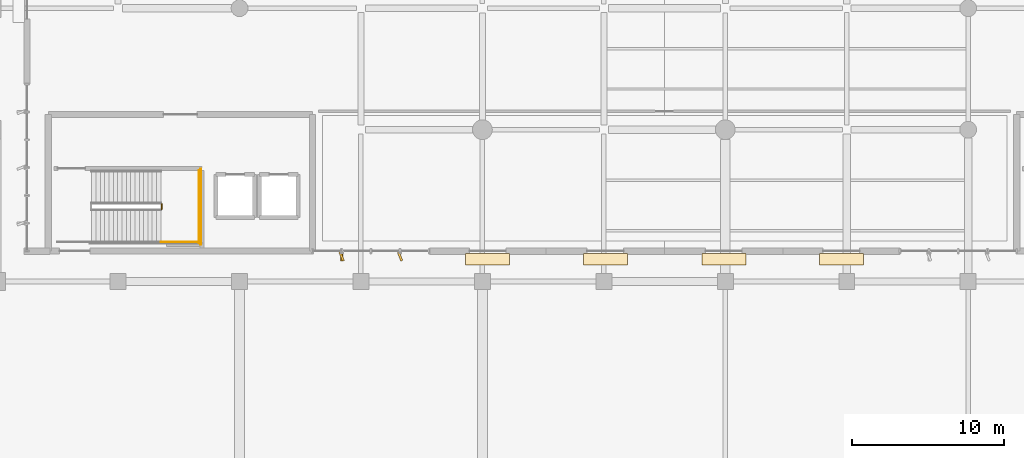
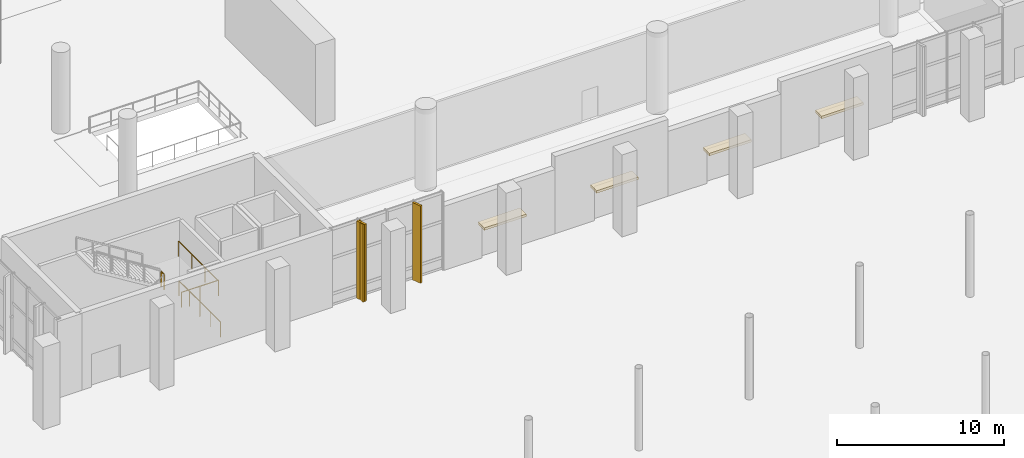
# One storey, part 147 of 163: 5 coverings, 4 railings, 2 shading devices.
"""IFC4 building model written with IfcOpenShell, lengths in metres."""

from ifc_helpers import new_model, si_unit, direction, frame, origin, origin_2d, place, context, subcontext, project, spatial, rectangle, extrude, material, layer, layer_set, type_object, element, save


model = new_model("IFC4")

# Units and contexts
model_context = context("Model", 3, precision=1e-05, world=origin(), true_north=direction((0.0, 1.0)))
body_context = subcontext(model_context, "Body", "Model", "MODEL_VIEW")
ifc_project = project(units=[si_unit("LENGTHUNIT", "METRE"), si_unit("AREAUNIT", "SQUARE_METRE"), si_unit("VOLUMEUNIT", "CUBIC_METRE"), si_unit("PLANEANGLEUNIT", "RADIAN"), si_unit("MASSUNIT", "GRAM", prefix="KILO")], contexts=[model_context])

# Site, building, storey
site_placement = place(None, origin())
site = spatial("IfcSite", under=ifc_project, at=site_placement, CompositionType="ELEMENT")
building_placement = place(site_placement, origin())
building = spatial("IfcBuilding", under=site, at=building_placement, Name="Khorjan Park Terminus", CompositionType="ELEMENT")
storey_placement = place(building_placement, origin())
storey = spatial("IfcBuildingStorey", under=building, at=storey_placement, Name="L00", CompositionType="ELEMENT", Elevation=0.0)

# Coverings
ifc_material_1 = material(Name="Pigmented Precast GRC", Category="concrete")
ifc_layer_1 = layer(ifc_material_1, 0.16)
ifc_layer_set_1 = layer_set([ifc_layer_1], Name="Pigmented Precast GRC")
covering_type_1 = type_object("IfcCoveringType", Name="CV-FIN-GRC", PredefinedType="CLADDING", material=ifc_layer_set_1)
covering_placement = place(storey_placement, frame((70.725, 27.645, -0.02), z_axis=(0.0, 0.0, 1.0), x_axis=(0.0, 1.0, 0.0)))
element("IfcCovering", 1, at=covering_placement, inside=storey, type_object=covering_type_1, Name="Projecting desert-sandstone GRC facade fin CL-FN1 (CW-V2-S-L00-02-1)", PredefinedType="CLADDING", context=body_context, shape_type="SweptSolid", body=[
    extrude(rectangle(XDim=0.58, YDim=0.16, at=origin_2d()), origin(), (0.0, 0.0, 1.0), 5.66),
])
ifc_layer_2 = layer(ifc_material_1, 0.18)
ifc_layer_set_2 = layer_set([ifc_layer_2], Name="Pigmented Precast GRC")
covering_type_2 = type_object("IfcCoveringType", Name="CV-HOOD-GRC", PredefinedType="CLADDING", material=ifc_layer_set_2)
for number, where, z_axis, x_axis, name in (
    (2, (80.35, 27.47, 2.51), (0.0, 0.0, 1.0), (1.0, 0.0, 0.0), "Projecting pigmented-GRC entrance canopy hood CL-HD1 (EW-V2-S-L00-03)"),
    (3, (88.1, 27.47, 2.51), (0.0, 0.0, 1.0), (1.0, 0.0, 0.0), "Projecting pigmented-GRC entrance canopy hood CL-HD1 (EW-V2-S-L00-04)"),
    (4, (95.9, 27.47, 2.51), (0.0, 0.0, 1.0), (1.0, 0.0, 0.0), "Projecting pigmented-GRC entrance canopy hood CL-HD1 (EW-V2-S-L00-05)"),
    (5, (103.65, 27.47, 2.51), (0.0, 0.0, 1.0), (1.0, 0.0, 0.0), "Projecting pigmented-GRC entrance canopy hood CL-HD1 (EW-V2-S-L00-06)"),
):
    element("IfcCovering", number, at=place(storey_placement, frame(where, z_axis=z_axis, x_axis=x_axis)), inside=storey, type_object=covering_type_2, Name=name, PredefinedType="CLADDING", context=body_context, shape_type="SweptSolid", body=[
        extrude(rectangle(XDim=2.9, YDim=0.76, at=origin_2d()), origin(), (0.0, 0.0, 1.0), 0.18),
    ])

# Railings
ifc_material_2 = material(Name="Steel S355", Category="steel")
railing_type = type_object("IfcRailingType", Name="GR-112", PredefinedType="GUARDRAIL", material=ifc_material_2)
railing_1_placement = place(storey_placement, frame((58.87, 30.75, 3.0)))
element("IfcRailing", 6, at=railing_1_placement, inside=storey, type_object=railing_type, Name="L00 ST-01 stair guard 2", PredefinedType="GUARDRAIL", context=body_context, shape_type="SweptSolid", body=[
    extrude(rectangle(XDim=0.048, YDim=0.048, at=origin_2d()), frame((0.0, 0.0, 1.096), z_axis=(0.0, 1.0, 0.0), x_axis=(-1.0, 0.0, 0.0)), (0.0, 0.0, 1.0), 0.36),
    extrude(rectangle(XDim=0.042, YDim=0.042, at=origin_2d()), origin(), (0.0, 0.0, 1.0), 1.072),
    extrude(rectangle(XDim=0.042, YDim=0.042, at=origin_2d()), frame((0.0, 0.36, 0.0)), (0.0, 0.0, 1.0), 1.072),
])
railing_2_placement = place(storey_placement, frame((58.82, 28.6, 3.0)))
element("IfcRailing", 7, at=railing_2_placement, inside=storey, type_object=railing_type, Name="L00 ST-01 stair guard 3", PredefinedType="GUARDRAIL", context=body_context, shape_type="SweptSolid", body=[
    extrude(rectangle(XDim=0.048, YDim=0.048, at=origin_2d()), frame((0.0, 0.0, 1.096), z_axis=(1.0, 0.0, 0.0), x_axis=(0.0, 1.0, 0.0)), (0.0, 0.0, 1.0), 2.58),
    extrude(rectangle(XDim=0.042, YDim=0.042, at=origin_2d()), origin(), (0.0, 0.0, 1.0), 1.072),
    extrude(rectangle(XDim=0.042, YDim=0.042, at=origin_2d()), frame((1.29, 0.0, 0.0)), (0.0, 0.0, 1.0), 1.072),
    extrude(rectangle(XDim=0.042, YDim=0.042, at=origin_2d()), frame((2.58, 0.0, 0.0)), (0.0, 0.0, 1.0), 1.072),
])
railing_3_placement = place(storey_placement, frame((61.35, 28.55, 3.0)))
element("IfcRailing", 8, at=railing_3_placement, inside=storey, type_object=railing_type, Name="L00 ST-01 stair guard 4", PredefinedType="GUARDRAIL", context=body_context, shape_type="SweptSolid", body=[
    extrude(rectangle(XDim=0.048, YDim=0.048, at=origin_2d()), frame((0.0, 0.0, 1.096), z_axis=(0.0, 1.0, 0.0), x_axis=(-1.0, 0.0, 0.0)), (0.0, 0.0, 1.0), 4.76),
    extrude(rectangle(XDim=0.042, YDim=0.042, at=origin_2d()), origin(), (0.0, 0.0, 1.0), 1.072),
    extrude(rectangle(XDim=0.042, YDim=0.042, at=origin_2d()), frame((0.0, 1.5867, 0.0)), (0.0, 0.0, 1.0), 1.072),
    extrude(rectangle(XDim=0.042, YDim=0.042, at=origin_2d()), frame((0.0, 3.1733, 0.0)), (0.0, 0.0, 1.0), 1.072),
    extrude(rectangle(XDim=0.042, YDim=0.042, at=origin_2d()), frame((0.0, 4.76, 0.0)), (0.0, 0.0, 1.0), 1.072),
])
railing_4_placement = place(storey_placement, frame((61.45, 28.45, 0.0)))
element("IfcRailing", 9, at=railing_4_placement, inside=storey, type_object=railing_type, Name="L00 ST-01 stair guard 9", PredefinedType="GUARDRAIL", context=body_context, shape_type="SweptSolid", body=[
    extrude(rectangle(XDim=0.048, YDim=0.048, at=origin_2d()), frame((0.0, 0.0, 1.096), z_axis=(0.0, 1.0, 0.0), x_axis=(-1.0, 0.0, 0.0)), (0.0, 0.0, 1.0), 4.96),
    extrude(rectangle(XDim=0.042, YDim=0.042, at=origin_2d()), origin(), (0.0, 0.0, 1.0), 1.072),
    extrude(rectangle(XDim=0.042, YDim=0.042, at=origin_2d()), frame((0.0, 1.24, 0.0)), (0.0, 0.0, 1.0), 1.072),
    extrude(rectangle(XDim=0.042, YDim=0.042, at=origin_2d()), frame((0.0, 2.48, 0.0)), (0.0, 0.0, 1.0), 1.072),
    extrude(rectangle(XDim=0.042, YDim=0.042, at=origin_2d()), frame((0.0, 3.72, 0.0)), (0.0, 0.0, 1.0), 1.072),
    extrude(rectangle(XDim=0.042, YDim=0.042, at=origin_2d()), frame((0.0, 4.96, 0.0)), (0.0, 0.0, 1.0), 1.072),
])

# Shading devices
ifc_material_3 = material(Name="Anodized Bronze Aluminium", Category="aluminium")
shading_device_type = type_object("IfcShadingDeviceType", Name="SD-FIN-620", PredefinedType="JALOUSIE", material=ifc_material_3)
for number, where, z_axis, x_axis, name in (
    (10, (70.725, 27.645, -0.02), (0.0, 0.0, 1.0), (-0.374606593416, 0.927183854567, 0.0), "Angled solar brise-soleil fin SF-62 (CW-V2-S-L00-02-1)"),
    (11, (74.575, 27.645, -0.02), (0.0, 0.0, 1.0), (-0.374606593416, 0.927183854567, 0.0), "Angled solar brise-soleil fin SF-62 (CW-V2-S-L00-02-3)"),
):
    element("IfcShadingDevice", number, at=place(storey_placement, frame(where, z_axis=z_axis, x_axis=x_axis)), inside=storey, type_object=shading_device_type, Name=name, PredefinedType="JALOUSIE", context=body_context, shape_type="SweptSolid", body=[
        extrude(rectangle(XDim=0.62, YDim=0.14, at=origin_2d()), origin(), (0.0, 0.0, 1.0), 5.66),
    ])

save(model, "model.ifc")
